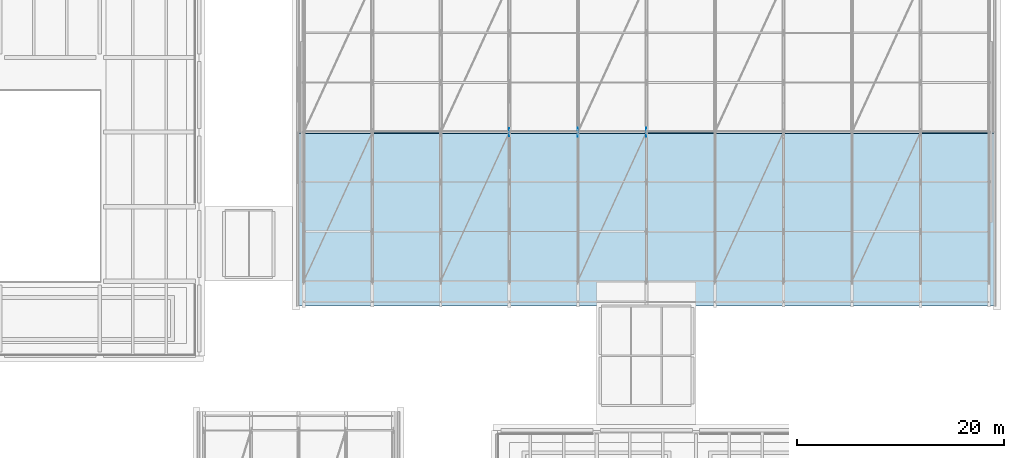
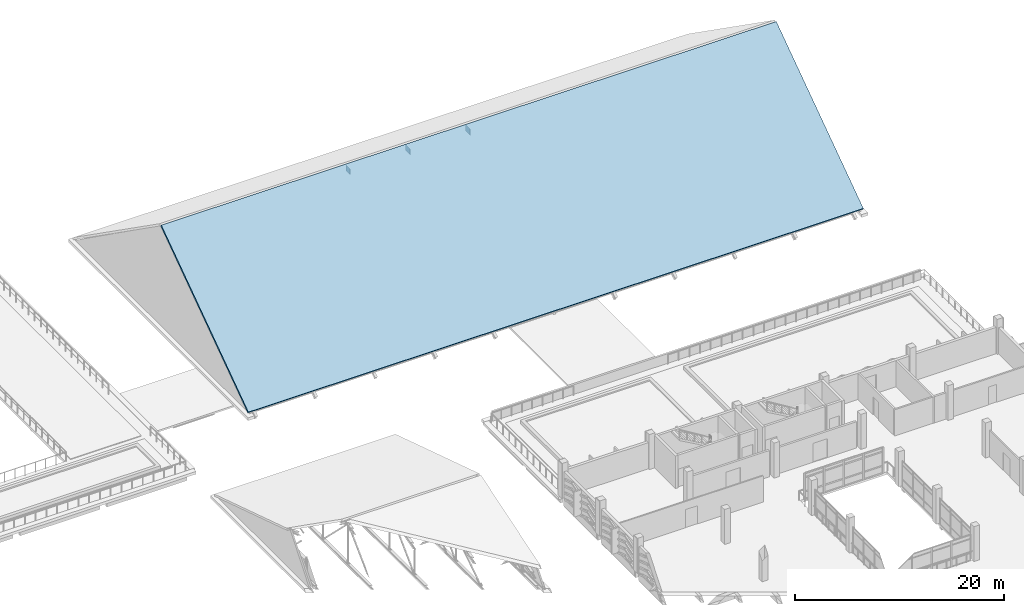
# One storey, part 103 of 134: 3 plates, 1 slab.
"""IFC4 building model written with IfcOpenShell, lengths in metres."""

from ifc_helpers import new_model, si_unit, direction, frame, origin, origin_2d, place, context, subcontext, project, spatial, polyline, rectangle, outline, extrude, material, layer, layer_set, type_object, element, save


model = new_model("IFC4")

# Units and contexts
model_context = context("Model", 3, precision=1e-05, world=origin(), true_north=direction((0.0, 1.0)))
body_context = subcontext(model_context, "Body", "Model", "MODEL_VIEW")
ifc_project = project(units=[si_unit("LENGTHUNIT", "METRE"), si_unit("AREAUNIT", "SQUARE_METRE"), si_unit("VOLUMEUNIT", "CUBIC_METRE"), si_unit("PLANEANGLEUNIT", "RADIAN"), si_unit("MASSUNIT", "GRAM", prefix="KILO")], contexts=[model_context])

# Site, building, storey
site_placement = place(None, origin())
site = spatial("IfcSite", under=ifc_project, at=site_placement, CompositionType="ELEMENT")
building_placement = place(site_placement, origin())
building = spatial("IfcBuilding", under=site, at=building_placement, Name="Asteropetra Specialist Clinic", CompositionType="ELEMENT")
storey_placement = place(building_placement, frame((0.0, 0.0, 8.5)))
storey = spatial("IfcBuildingStorey", under=building, at=storey_placement, Name="L02", CompositionType="ELEMENT", Elevation=8.5)

# Plates
ifc_material_1 = material(Name="Steel S355", Category="steel")
ifc_layer_1 = layer(ifc_material_1, 0.028076171875)
ifc_layer_set_1 = layer_set([ifc_layer_1], Name="Steel S355")
plate_type_1 = type_object("IfcPlateType", Name="PLT-GUS-05", PredefinedType="SHEET", material=ifc_layer_set_1)
plate_1_placement = place(storey_placement, frame((106.760009765625, 91.199951171875, 11.135986328125), z_axis=(0.0, 0.0, 1.0), x_axis=(1.0, 0.0, 0.0)))
element("IfcPlate", 1, at=plate_1_placement, inside=storey, type_object=plate_type_1, Name="Truss Ridge Gusset GP-TRV1-04", PredefinedType="SHEET", context=body_context, shape_type="SweptSolid", body=[
    extrude(rectangle(XDim=0.028076171875, YDim=0.800048828125, at=origin_2d()), origin(), (0.0, 0.0, 1.0), 0.64990234375),
])
ifc_material_2 = material(Name="Steel S355", Category="steel")
ifc_layer_2 = layer(ifc_material_2, 0.030029296875)
ifc_layer_set_2 = layer_set([ifc_layer_2], Name="Steel S355")
plate_type_2 = type_object("IfcPlateType", Name="PLT-GUS-06", PredefinedType="SHEET", material=ifc_layer_set_2)
plate_2_placement = place(storey_placement, frame((113.3798828125, 91.199951171875, 11.11083984375), z_axis=(0.0, 0.0, 1.0), x_axis=(1.0, 0.0, 0.0)))
element("IfcPlate", 2, at=plate_2_placement, inside=storey, type_object=plate_type_2, Name="Truss Ridge Gusset GP-TRV1-05", PredefinedType="SHEET", context=body_context, shape_type="SweptSolid", body=[
    extrude(rectangle(XDim=0.030029296875, YDim=0.85009765625, at=origin_2d()), origin(), (0.0, 0.0, 1.0), 0.699951171875),
])
ifc_material_3 = material(Name="Steel S355", Category="steel")
ifc_layer_3 = layer(ifc_material_3, 0.031982421875)
ifc_layer_set_3 = layer_set([ifc_layer_3], Name="Steel S355")
plate_type_3 = type_object("IfcPlateType", Name="PLT-GUS-07", PredefinedType="SHEET", material=ifc_layer_set_3)
plate_3_placement = place(storey_placement, frame((120.0, 91.199951171875, 11.0859375), z_axis=(0.0, 0.0, 1.0), x_axis=(1.0, 0.0, 0.0)))
element("IfcPlate", 3, at=plate_3_placement, inside=storey, type_object=plate_type_3, Name="Truss Ridge Gusset GP-TRV1-06", PredefinedType="SHEET", context=body_context, shape_type="SweptSolid", body=[
    extrude(rectangle(XDim=0.031982421875, YDim=0.89990234375, at=origin_2d()), origin(), (0.0, 0.0, 1.0), 0.75),
])

# Slab
ifc_material_4 = material(Name="Concrete C35/45", Category="concrete")
ifc_layer_4 = layer(ifc_material_4, 0.219970703125)
ifc_layer_set_4 = layer_set([ifc_layer_4], Name="Concrete C35/45")
slab_type = type_object("IfcSlabType", Name="SLB-ROOF-220", PredefinedType="ROOF", material=ifc_layer_set_4)
slab_placement = place(storey_placement, frame((86.050048828125, 74.39990234375, 0.594970703125), z_axis=(0.0, -0.575695810435, 0.817663949216), x_axis=(1.0, 0.0, 0.0)))
element("IfcSlab", 4, at=slab_placement, inside=storey, type_object=slab_type, Name="TRV1 Pitched Roof South Slope", PredefinedType="ROOF", context=body_context, shape_type="SweptSolid", body=[
    extrude(outline(polyline([(0.0, 0.0), (67.89990234375, 0.0), (67.89990234375, 20.3753097662752), (0.0, 20.3753097662752), (0.0, 0.0)])), origin(), (0.0, 0.0, -1.0), 0.219970703125),
])

save(model, "model.ifc")
